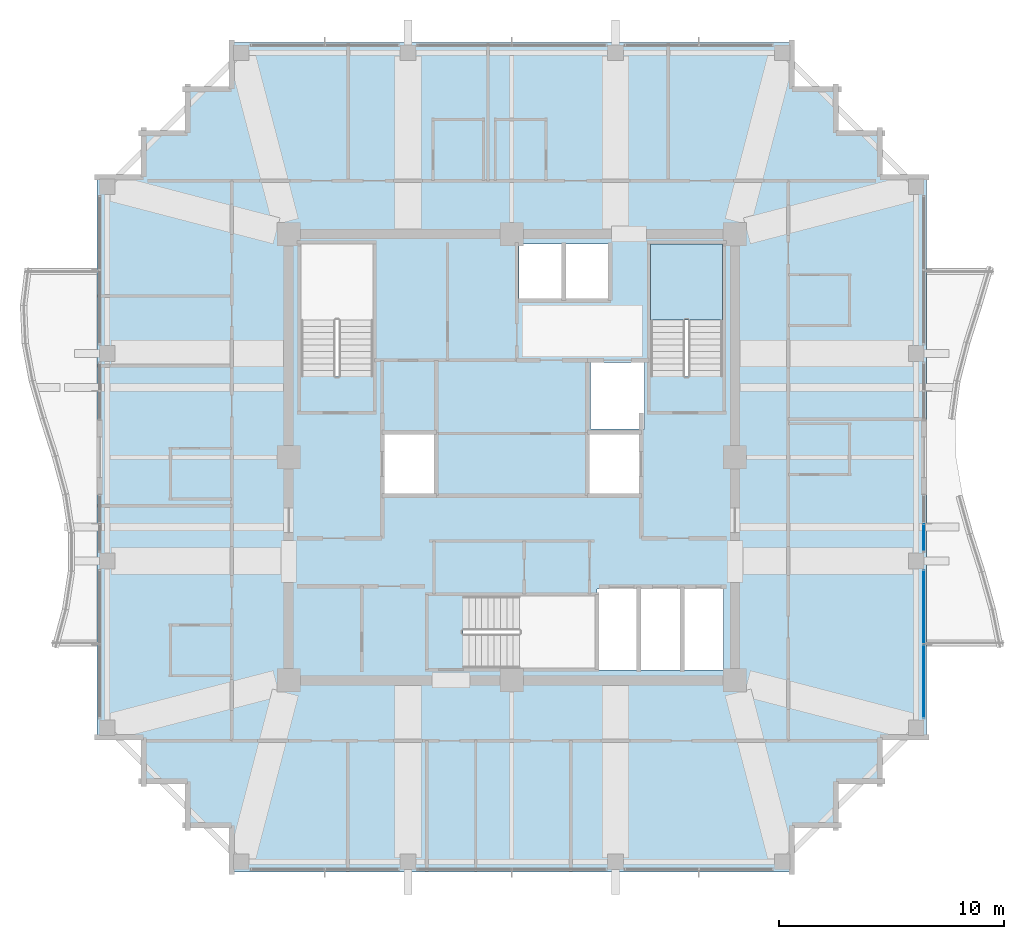
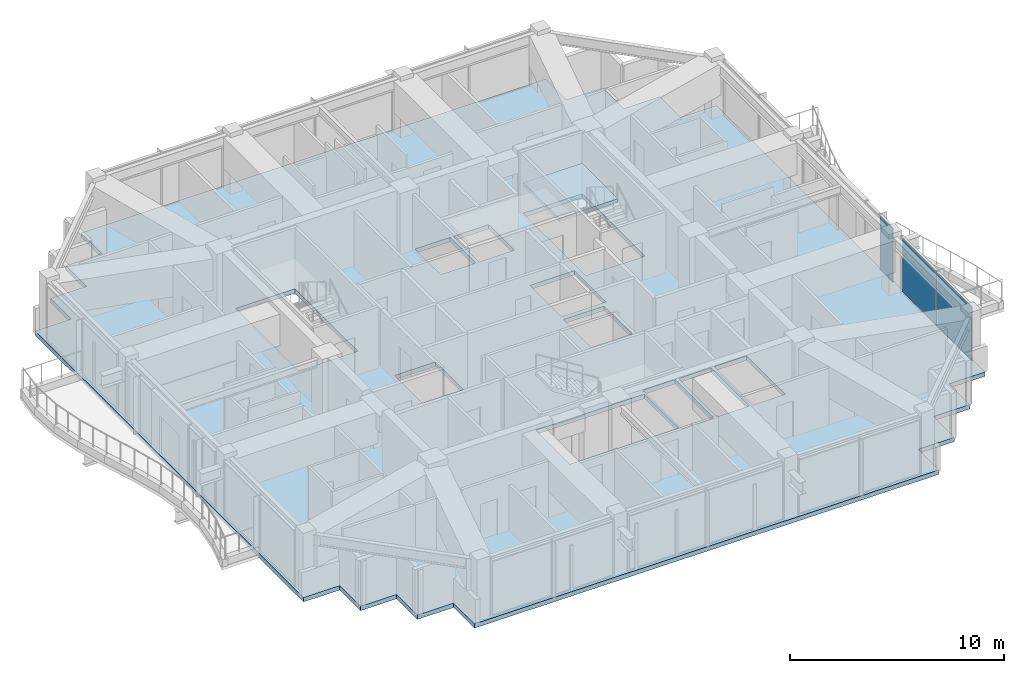
# One storey, part 22 of 31: 3 plates, 2 slabs, 3 elements without a shape of their own.
"""IFC4 building model written with IfcOpenShell, lengths in metres."""

from ifc_helpers import new_model, si_unit, direction, frame, origin, origin_2d, place, context, subcontext, project, spatial, polyline, rectangle, outline, extrude, material, layer, layer_set, type_object, element, aggregate, save


model = new_model("IFC4")

# Units and contexts
model_context = context("Model", 3, precision=1e-05, world=origin(), true_north=direction((0.0, 1.0)))
body_context = subcontext(model_context, "Body", "Model", "MODEL_VIEW")
ifc_project = project(units=[si_unit("LENGTHUNIT", "METRE"), si_unit("AREAUNIT", "SQUARE_METRE"), si_unit("VOLUMEUNIT", "CUBIC_METRE"), si_unit("PLANEANGLEUNIT", "RADIAN"), si_unit("MASSUNIT", "GRAM", prefix="KILO")], contexts=[model_context])

# Site, building, storey
site_placement = place(None, origin())
site = spatial("IfcSite", under=ifc_project, at=site_placement, CompositionType="ELEMENT")
building_placement = place(site_placement, origin())
building = spatial("IfcBuilding", under=site, at=building_placement, Name="Kolvaren Belvedere", CompositionType="ELEMENT")
storey_placement = place(building_placement, frame((0.0, 0.0, 237.39990234375)))
storey = spatial("IfcBuildingStorey", under=building, at=storey_placement, Name="L69", CompositionType="ELEMENT", Elevation=237.39990234375)

# Curtain wall, plate
ifc_material_1 = material(Name="Anodised pale-metal aluminium AA 6063-T6", Category="aluminium")
curtain_wall_type = type_object("IfcCurtainWallType", Name="CW-Z5-HIGH", PredefinedType="NOTDEFINED", material=ifc_material_1)
curtain_wall_1_placement = place(storey_placement, origin())
curtain_wall_1 = element("IfcCurtainWall", 1, at=curtain_wall_1_placement, inside=storey, type_object=curtain_wall_type, Name="L69 Unitised Curtain Wall FCW-L69-E2-B1", PredefinedType="NOTDEFINED")
ifc_material_2 = material(Name="Low-iron triple insulated glass", Category="glass")
ifc_layer_1 = layer(ifc_material_2, 0.028076171875)
ifc_layer_set_1 = layer_set([ifc_layer_1], Name="Low-iron triple insulated glass")
plate_type = type_object("IfcPlateType", Name="CW-PNL-VIS28", PredefinedType="CURTAIN_PANEL", material=ifc_layer_set_1)
plate_1_placement = place(storey_placement, frame((18.280029296875, -3.56640625, 0.080078125), z_axis=(0.0, 0.0, 1.0), x_axis=(0.0, -1.0, 0.0)))
plate_1 = element("IfcPlate", 2, at=plate_1_placement, type_object=plate_type, Name="FCW-L69-E2-B1 Vision Glazing Panel 2", PredefinedType="CURTAIN_PANEL", context=body_context, shape_type="SweptSolid", body=[
    extrude(rectangle(XDim=1.177490234375, YDim=0.028076171875, at=origin_2d()), origin(), (0.0, 0.0, 1.0), 3.090087890625),
])
aggregate(curtain_wall_1, [plate_1])

# Curtain wall, plates
curtain_wall_2_placement = place(storey_placement, origin())
curtain_wall_2 = element("IfcCurtainWall", 3, at=curtain_wall_2_placement, inside=storey, type_object=curtain_wall_type, Name="L69 Unitised Curtain Wall FCW-L69-E2-B2", PredefinedType="NOTDEFINED")
plate_2_placement = place(storey_placement, frame((18.280029296875, -6.652587890625, 0.080078125), z_axis=(0.0, 0.0, 1.0), x_axis=(0.0, -1.0, 0.0)))
plate_2 = element("IfcPlate", 4, at=plate_2_placement, type_object=plate_type, Name="FCW-L69-E2-B2 Vision Glazing Panel 1", PredefinedType="CURTAIN_PANEL", context=body_context, shape_type="SweptSolid", body=[
    extrude(rectangle(XDim=3.215087890625, YDim=0.028076171875, at=origin_2d()), origin(), (0.0, 0.0, 1.0), 3.090087890625),
])
plate_3_placement = place(storey_placement, frame((18.280029296875, -9.947509765625, 0.080078125), z_axis=(0.0, 0.0, 1.0), x_axis=(0.0, -1.0, 0.0)))
plate_3 = element("IfcPlate", 5, at=plate_3_placement, type_object=plate_type, Name="FCW-L69-E2-B2 Vision Glazing Panel 2", PredefinedType="CURTAIN_PANEL", context=body_context, shape_type="SweptSolid", body=[
    extrude(rectangle(XDim=3.215087890625, YDim=0.028076171875, at=origin_2d()), origin(), (0.0, 0.0, 1.0), 3.090087890625),
])
aggregate(curtain_wall_2, [plate_2, plate_3])

# Slab
ifc_material_3 = material(Name="Concrete C50/60", Category="concrete")
ifc_layer_2 = layer(ifc_material_3, 0.25)
ifc_layer_set_2 = layer_set([ifc_layer_2], Name="Concrete C50/60")
slab_type_1 = type_object("IfcSlabType", Name="SL-FLR-250", PredefinedType="FLOOR", material=ifc_layer_set_2)
slab_1_placement = place(storey_placement, frame((0.0, 0.0, -0.25)))
element("IfcSlab", 6, at=slab_1_placement, inside=storey, type_object=slab_type_1, Name="L69 Primary Structural Slab", PredefinedType="FLOOR", context=body_context, shape_type="SweptSolid", body=[
    extrude(outline(polyline([(-12.550048828125, -18.39990234375), (12.550048828125, -18.39990234375), (12.550048828125, -16.449951171875), (14.5, -16.449951171875), (14.5, -14.5), (16.449951171875, -14.5), (16.449951171875, -12.550048828125), (18.39990234375, -12.550048828125), (18.39990234375, 12.550048828125), (16.449951171875, 12.550048828125), (16.449951171875, 14.5), (14.5, 14.5), (14.5, 16.449951171875), (12.550048828125, 16.449951171875), (12.550048828125, 18.39990234375), (-12.550048828125, 18.39990234375), (-12.550048828125, 16.449951171875), (-14.5, 16.449951171875), (-14.5, 14.5), (-16.449951171875, 14.5), (-16.449951171875, 12.550048828125), (-18.39990234375, 12.550048828125), (-18.39990234375, -12.550048828125), (-16.449951171875, -12.550048828125), (-16.449951171875, -14.5), (-14.5, -14.5), (-14.5, -16.449951171875), (-12.550048828125, -16.449951171875), (-12.550048828125, -18.39990234375)]), holes=[polyline([(-9.35009765625, 3.580078125), (-6.159912109375, 3.580078125), (-6.159912109375, 9.449951171875), (-9.35009765625, 9.449951171875), (-9.35009765625, 3.580078125)]), polyline([(6.159912109375, 3.580078125), (9.35009765625, 3.580078125), (9.35009765625, 9.449951171875), (6.159912109375, 9.449951171875), (6.159912109375, 3.580078125)]), polyline([(-2.169921875, -9.35009765625), (3.699951171875, -9.35009765625), (3.699951171875, -6.159912109375), (-2.169921875, -6.159912109375), (-2.169921875, -9.35009765625)]), polyline([(-5.64990234375, -1.60009765625), (-3.449951171875, -1.60009765625), (-3.449951171875, 1.0), (-5.64990234375, 1.0), (-5.64990234375, -1.60009765625)]), polyline([(3.5, 1.25), (5.89990234375, 1.25), (5.89990234375, 4.199951171875), (3.5, 4.199951171875), (3.5, 1.25)]), polyline([(3.449951171875, -1.60009765625), (5.64990234375, -1.60009765625), (5.64990234375, 1.0), (3.449951171875, 1.0), (3.449951171875, -1.60009765625)]), polyline([(3.7900390625, -9.449951171875), (5.5400390625, -9.449951171875), (5.5400390625, -5.85009765625), (3.7900390625, -5.85009765625), (3.7900390625, -9.449951171875)]), polyline([(5.719970703125, -9.449951171875), (7.469970703125, -9.449951171875), (7.469970703125, -5.85009765625), (5.719970703125, -5.85009765625), (5.719970703125, -9.449951171875)]), polyline([(7.64990234375, -9.449951171875), (9.39990234375, -9.449951171875), (9.39990234375, -5.85009765625), (7.64990234375, -5.85009765625), (7.64990234375, -9.449951171875)]), polyline([(0.320068359375, 7.050048828125), (2.219970703125, 7.050048828125), (2.219970703125, 9.449951171875), (0.320068359375, 9.449951171875), (0.320068359375, 7.050048828125)]), polyline([(2.39990234375, 7.050048828125), (4.300048828125, 7.050048828125), (4.300048828125, 9.449951171875), (2.39990234375, 9.449951171875), (2.39990234375, 7.050048828125)])]), origin(), (0.0, 0.0, 1.0), 0.25),
])

# Stair, slab
ifc_material_4 = material(Name="Concrete C50/60", Category="concrete")
stair_type = type_object("IfcStairType", Name="ST-CORE-1520", PredefinedType="HALF_TURN_STAIR", material=ifc_material_4)
stair_placement = place(storey_placement, origin())
stair = element("IfcStair", 7, at=stair_placement, inside=storey, type_object=stair_type, Name="L69 Protected Exit Stair ST-2", PredefinedType="HALF_TURN_STAIR")
ifc_material_5 = material(Name="Concrete C50/60", Category="concrete")
ifc_layer_3 = layer(ifc_material_5, 0.260009765625)
ifc_layer_set_3 = layer_set([ifc_layer_3], Name="Concrete C50/60")
slab_type_2 = type_object("IfcSlabType", Name="SL-LAND-260", PredefinedType="LANDING", material=ifc_layer_set_3)
slab_2_placement = place(storey_placement, frame((0.0, 0.0, 1.550048828125)))
slab_2 = element("IfcSlab", 8, at=slab_2_placement, type_object=slab_type_2, Name="ST-2 landing 1", PredefinedType="LANDING", context=body_context, shape_type="SweptSolid", body=[
    extrude(outline(polyline([(9.35009765625, 6.090087890625), (9.35009765625, 9.449951171875), (6.159912109375, 9.449951171875), (6.159912109375, 6.090087890625), (9.35009765625, 6.090087890625)])), origin(), (0.0, 0.0, 1.0), 0.199951171875),
])
aggregate(stair, [slab_2])

save(model, "model.ifc")
